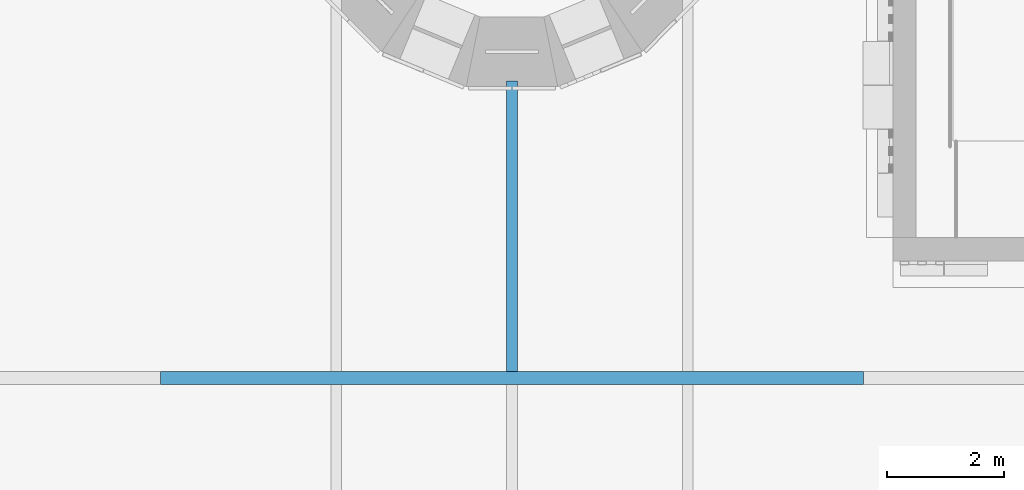
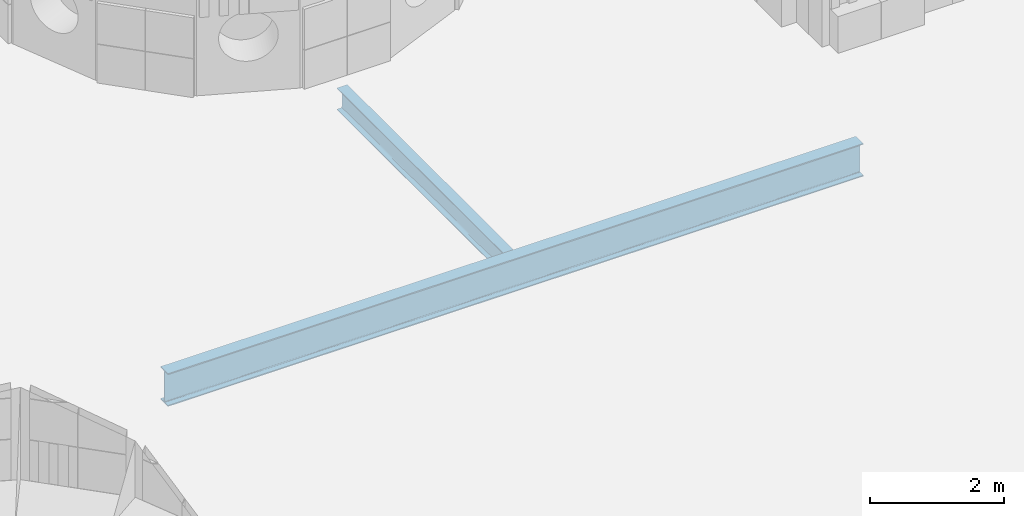
# One storey, part 3 of 98: 1 beam, 1 member.
"""IFC4 building model written with IfcOpenShell, lengths in metres."""

from ifc_helpers import new_model, si_unit, direction, frame, origin, origin_2d, place, context, subcontext, project, spatial, i_section, extrude, material, material_profile, profile_set, type_object, element, save


model = new_model("IFC4")

# Units and contexts
model_context = context("Model", 3, precision=1e-05, world=origin(), true_north=direction((0.0, 1.0)))
body_context = subcontext(model_context, "Body", "Model", "MODEL_VIEW")
ifc_project = project(units=[si_unit("LENGTHUNIT", "METRE"), si_unit("AREAUNIT", "SQUARE_METRE"), si_unit("VOLUMEUNIT", "CUBIC_METRE"), si_unit("PLANEANGLEUNIT", "RADIAN"), si_unit("MASSUNIT", "GRAM", prefix="KILO")], contexts=[model_context])

# Site, building, storey
site_placement = place(None, origin())
site = spatial("IfcSite", under=ifc_project, at=site_placement, CompositionType="ELEMENT")
building_placement = place(site_placement, origin())
building = spatial("IfcBuilding", under=site, at=building_placement, Name="Sun Court Science Centre", CompositionType="ELEMENT")
storey_placement = place(building_placement, frame((0.0, 0.0, 15.75)))
storey = spatial("IfcBuildingStorey", under=building, at=storey_placement, Name="L03", CompositionType="ELEMENT", Elevation=15.75)

# Member
ifc_material_1 = material(Name="Steel S275", Category="steel")
ifc_material_profile_1 = material_profile(ifc_material_1, i_section(OverallWidth=0.179931640625, OverallDepth=0.39990234375, WebThickness=0.008544921875, FlangeThickness=0.013427734375, FilletRadius=0.02099609375, at=origin_2d()), Name="IPE 400")
ifc_profile_set_1 = profile_set([ifc_material_profile_1], Name="Steel S275")
member_type = type_object("IfcMemberType", Name="Roof purlin IPE 400", PredefinedType="PURLIN", material=ifc_profile_set_1)
member_placement = place(storey_placement, frame((18.0, 17.110107421875, -0.35009765625), z_axis=(0.0, 1.0, 0.0), x_axis=(-1.0, 0.0, 0.0)))
element("IfcMember", 1, at=member_placement, inside=storey, type_object=member_type, Name="Roof purlin", PredefinedType="PURLIN", context=body_context, shape_type="SweptSolid", body=[
    extrude(i_section(OverallWidth=0.179931640625, OverallDepth=0.39990234375, WebThickness=0.008544921875, FlangeThickness=0.013427734375, FilletRadius=0.02099609375, at=origin_2d()), origin(), (0.0, 0.0, 1.0), 4.966796875),
])

# Beam
ifc_material_2 = material(Name="Steel S355", Category="steel")
ifc_material_profile_2 = material_profile(ifc_material_2, i_section(OverallWidth=0.219970703125, OverallDepth=0.60009765625, WebThickness=0.011962890625, FlangeThickness=0.01904296875, FilletRadius=0.02392578125, at=origin_2d()), Name="IPE 600")
ifc_profile_set_2 = profile_set([ifc_material_profile_2], Name="Steel S355")
beam_type = type_object("IfcBeamType", Name="Steel beam IPE 600", PredefinedType="BEAM", material=ifc_profile_set_2)
beam_placement = place(storey_placement, frame((12.0009765625, 17.0, -0.449951171875), z_axis=(1.0, 0.0, 0.0), x_axis=(0.0, 1.0, 0.0)))
element("IfcBeam", 2, at=beam_placement, inside=storey, type_object=beam_type, Name="Roof girder line 2", PredefinedType="BEAM", context=body_context, shape_type="SweptSolid", body=[
    extrude(i_section(OverallWidth=0.219970703125, OverallDepth=0.60009765625, WebThickness=0.011962890625, FlangeThickness=0.01904296875, FilletRadius=0.02392578125, at=origin_2d()), origin(), (0.0, 0.0, 1.0), 11.998046875),
])

save(model, "model.ifc")
